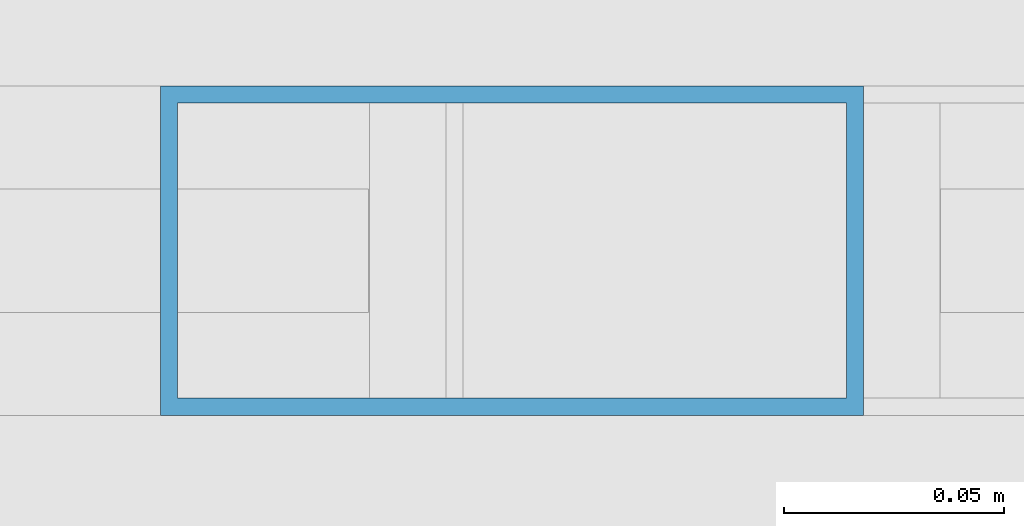
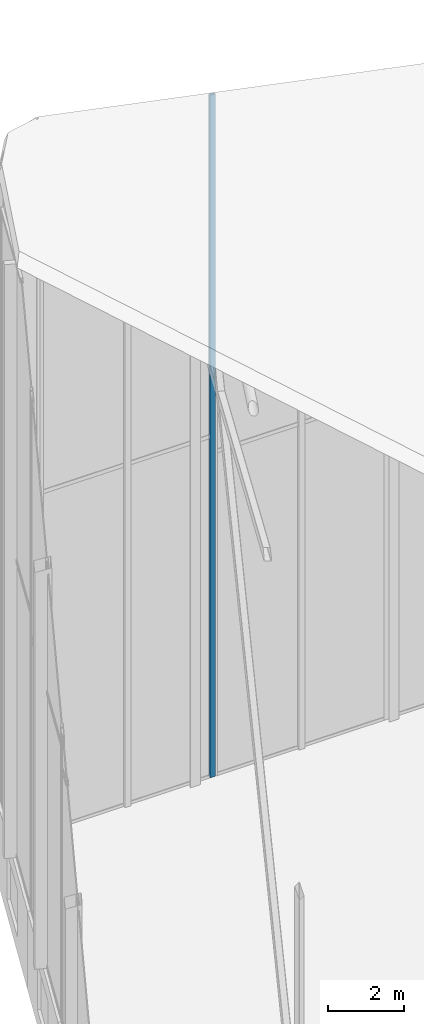
# One storey, part 47 of 74: 1 member, 1 element without a shape of its own.
"""IFC4 building model written with IfcOpenShell, lengths in metres."""

from ifc_helpers import new_model, si_unit, direction, frame, origin, origin_2d, place, context, subcontext, project, spatial, hollow_rectangle, extrude, material, layer, layer_set, material_profile, profile_set, type_object, element, aggregate, save


model = new_model("IFC4")

# Units and contexts
model_context = context("Model", 3, precision=1e-05, world=origin(), true_north=direction((0.0, 1.0)))
body_context = subcontext(model_context, "Body", "Model", "MODEL_VIEW")
ifc_project = project(units=[si_unit("LENGTHUNIT", "METRE"), si_unit("AREAUNIT", "SQUARE_METRE"), si_unit("VOLUMEUNIT", "CUBIC_METRE"), si_unit("PLANEANGLEUNIT", "RADIAN"), si_unit("MASSUNIT", "GRAM", prefix="KILO")], contexts=[model_context])

# Site, building, storey
site_placement = place(None, origin())
site = spatial("IfcSite", under=ifc_project, at=site_placement, CompositionType="ELEMENT")
building_placement = place(site_placement, origin())
building = spatial("IfcBuilding", under=site, at=building_placement, Name="Keshet Zoharim Tower", CompositionType="ELEMENT")
storey_placement = place(building_placement, frame((0.0, 0.0, 320.0)))
storey = spatial("IfcBuildingStorey", under=building, at=storey_placement, Name="RF", CompositionType="ELEMENT", Elevation=320.0)

# Curtain wall, member
ifc_material = material(Name="Aluminium 6063-T6", Category="aluminium")
ifc_layer = layer(ifc_material, 0.260009765625)
ifc_layer_set = layer_set([ifc_layer], Name="Aluminium 6063-T6")
curtain_wall_type = type_object("IfcCurtainWallType", Name="CW-SYS-06", PredefinedType="NOTDEFINED", material=ifc_layer_set)
curtain_wall_placement = place(storey_placement, origin())
curtain_wall = element("IfcCurtainWall", 1, at=curtain_wall_placement, inside=storey, type_object=curtain_wall_type, Name="Slanted Crown Curtain Wall 11", PredefinedType="NOTDEFINED")
ifc_material_profile = material_profile(ifc_material, hollow_rectangle(XDim=0.074951171875, YDim=0.159912109375, WallThickness=0.00390625, at=origin_2d()), Name="MUL-75x160")
ifc_profile_set = profile_set([ifc_material_profile], Name="Aluminium 6063-T6")
member_type = type_object("IfcMemberType", Name="CWM-M15", PredefinedType="MULLION", material=ifc_profile_set)
member_placement = place(storey_placement, frame((21.6005859375, 53.89990234375, 0.0), z_axis=(0.0, 0.0, 1.0), x_axis=(0.0, 1.0, 0.0)))
member = element("IfcMember", 2, at=member_placement, type_object=member_type, Name="CW-06 mullion 3", PredefinedType="MULLION", context=body_context, shape_type="SweptSolid", body=[
    extrude(hollow_rectangle(XDim=0.074951171875, YDim=0.159912109375, WallThickness=0.00390625, at=origin_2d()), origin(), (0.0, 0.0, 1.0), 21.791015625),
])
aggregate(curtain_wall, [member])

save(model, "model.ifc")
